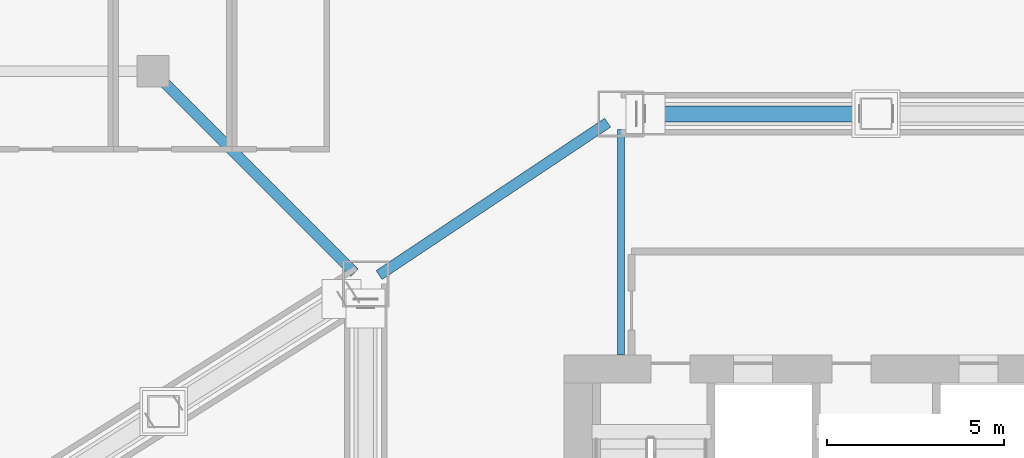
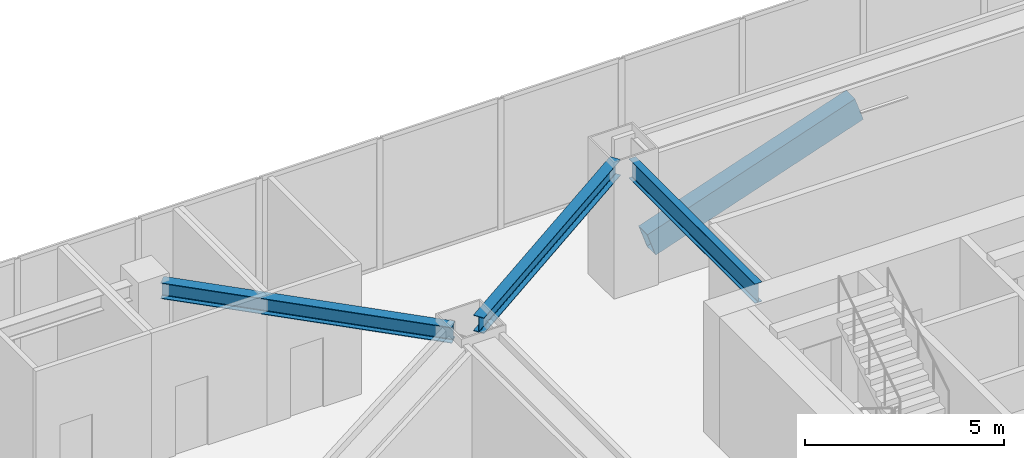
# One storey, part 12 of 39: 3 beams, 1 member.
"""IFC4 building model written with IfcOpenShell, lengths in metres."""

from ifc_helpers import new_model, si_unit, direction, frame, origin, origin_2d, place, context, subcontext, project, spatial, hollow_rectangle, i_section, extrude, material, material_profile, profile_set, type_object, element, save


model = new_model("IFC4")

# Units and contexts
model_context = context("Model", 3, precision=1e-05, world=origin(), true_north=direction((0.0, 1.0)))
body_context = subcontext(model_context, "Body", "Model", "MODEL_VIEW")
ifc_project = project(units=[si_unit("LENGTHUNIT", "METRE"), si_unit("AREAUNIT", "SQUARE_METRE"), si_unit("VOLUMEUNIT", "CUBIC_METRE"), si_unit("PLANEANGLEUNIT", "RADIAN"), si_unit("MASSUNIT", "GRAM", prefix="KILO")], contexts=[model_context])

# Site, building, storey
site_placement = place(None, origin())
site = spatial("IfcSite", under=ifc_project, at=site_placement, CompositionType="ELEMENT")
building_placement = place(site_placement, origin())
building = spatial("IfcBuilding", under=site, at=building_placement, Name="Haolan Belvedere Tower", CompositionType="ELEMENT")
storey_placement = place(building_placement, frame((0.0, 0.0, 19.800048828125)))
storey = spatial("IfcBuildingStorey", under=building, at=storey_placement, Name="L04", CompositionType="ELEMENT", Elevation=19.800048828125)

# Beams
ifc_material_1 = material(Name="Steel Q355B", Category="steel")
ifc_material_profile_1 = material_profile(ifc_material_1, i_section(OverallWidth=0.300048828125, OverallDepth=0.488037109375, WebThickness=0.010986328125, FlangeThickness=0.01806640625, FilletRadius=0.02587890625, at=origin_2d()), Name="Steel Q355B")
ifc_profile_set_1 = profile_set([ifc_material_profile_1], Name="Steel Q355B")
beam_type_1 = type_object("IfcBeamType", Name="BM-HM488x300x11x18", PredefinedType="SPANDREL", material=ifc_profile_set_1)
beam_1_placement = place(storey_placement, frame((24.37451171875, 45.849609375, 3.755859375), z_axis=(0.832050294338, 0.554700196225, 0.0), x_axis=(-0.554700196225, 0.832050294338, 0.0)))
element("IfcBeam", 1, at=beam_1_placement, inside=storey, type_object=beam_type_1, Name="L04 spandrel girder MC-T3-NW-MC-T3-N1", PredefinedType="SPANDREL", context=body_context, shape_type="SweptSolid", body=[
    extrude(i_section(OverallWidth=0.300048828125, OverallDepth=0.488037109375, WebThickness=0.010986328125, FlangeThickness=0.01806640625, FilletRadius=0.02587890625, at=origin_2d()), origin(), (0.0, 0.0, 1.0), 7.75341796875),
])
beam_2_placement = place(storey_placement, frame((18.318115234375, 51.28173828125, 3.716064453125), z_axis=(0.707122873923, -0.707090688084, 0.0), x_axis=(0.707090688084, 0.707122873923, 0.0)))
element("IfcBeam", 2, at=beam_2_placement, inside=storey, type_object=beam_type_1, Name="L04 spandrel girder PC-NW-2-MC-T3-NW", PredefinedType="SPANDREL", context=body_context, shape_type="SweptSolid", body=[
    extrude(i_section(OverallWidth=0.300048828125, OverallDepth=0.488037109375, WebThickness=0.010986328125, FlangeThickness=0.01806640625, FilletRadius=0.02587890625, at=origin_2d()), origin(), (0.0, 0.0, 1.0), 7.58544921875),
])
ifc_material_profile_2 = material_profile(ifc_material_1, i_section(OverallWidth=0.199951171875, OverallDepth=0.60009765625, WebThickness=0.010986328125, FlangeThickness=0.01708984375, FilletRadius=0.02197265625, at=origin_2d()), Name="Steel Q355B")
ifc_profile_set_2 = profile_set([ifc_material_profile_2], Name="Steel Q355B")
beam_type_2 = type_object("IfcBeamType", Name="BM-HN600x200x11x17", PredefinedType="BEAM", material=ifc_profile_set_2)
beam_3_placement = place(storey_placement, frame((31.199951171875, 49.949951171875, 3.699951171875), z_axis=(0.0, -1.0, 0.0), x_axis=(1.0, 0.0, 0.0)))
element("IfcBeam", 3, at=beam_3_placement, inside=storey, type_object=beam_type_2, Name="L04 core tie beam from MC-T3-N1", PredefinedType="BEAM", context=body_context, shape_type="SweptSolid", body=[
    extrude(i_section(OverallWidth=0.199951171875, OverallDepth=0.60009765625, WebThickness=0.010986328125, FlangeThickness=0.01708984375, FilletRadius=0.02197265625, at=origin_2d()), origin(), (0.0, 0.0, 1.0), 6.349853515625),
])

# Member
ifc_material_2 = material(Name="Steel Q390GJC", Category="steel")
ifc_material_profile_3 = material_profile(ifc_material_2, hollow_rectangle(XDim=0.449951171875, YDim=0.75, WallThickness=0.028076171875, at=origin_2d()), Name="Steel Q390GJC")
ifc_profile_set_3 = profile_set([ifc_material_profile_3], Name="Steel Q390GJC")
member_type = type_object("IfcMemberType", Name="MEM-BOX750x450x28", PredefinedType="BRACE", material=ifc_profile_set_3)
member_placement = place(storey_placement, frame((31.889892578125, 50.39990234375, 0.93994140625), z_axis=(0.94630069303, 0.0, 0.323287794963), x_axis=(0.0, 1.0, 0.0)))
element("IfcMember", 4, at=member_placement, inside=storey, type_object=member_type, Name="L04 transfer truss TT-T3-NM web diagonal 1", PredefinedType="BRACE", context=body_context, shape_type="SweptSolid", body=[
    extrude(hollow_rectangle(XDim=0.449951171875, YDim=0.75, WallThickness=0.028076171875, at=origin_2d()), origin(), (0.0, 0.0, 1.0), 6.372314453125),
])

save(model, "model.ifc")
